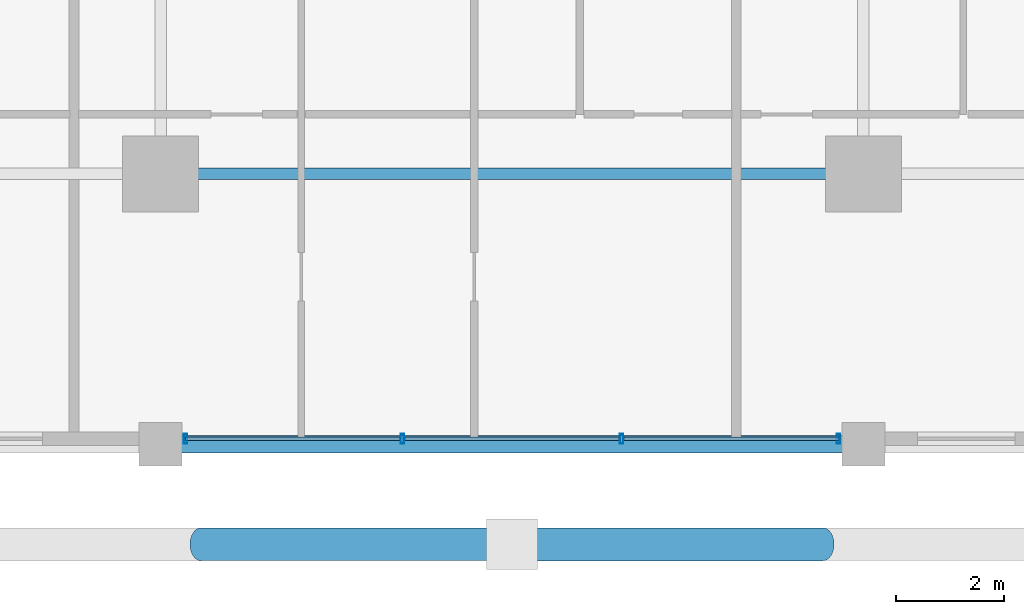
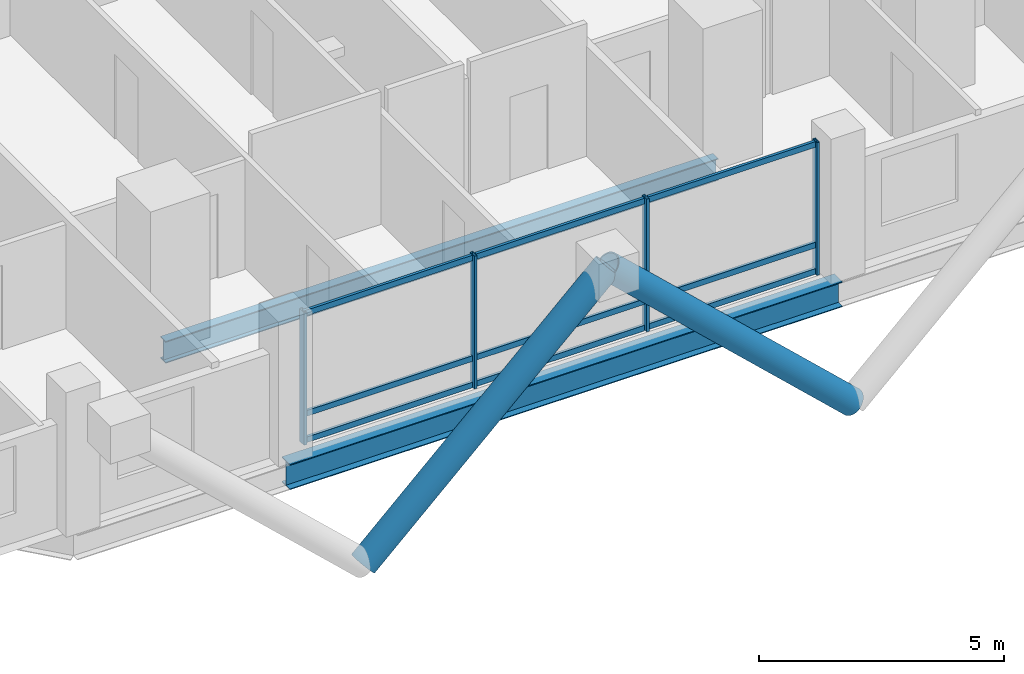
# One storey, part 2 of 24: 15 members, 2 beams, 1 element without a shape of its own.
"""IFC4 building model written with IfcOpenShell, lengths in metres."""

from ifc_helpers import new_model, si_unit, direction, frame, origin, origin_2d, place, context, subcontext, project, spatial, hollow_rectangle, hollow_circle, i_section, extrude, material, layer, layer_set, material_profile, profile_set, type_object, element, aggregate, save


model = new_model("IFC4")

# Units and contexts
model_context = context("Model", 3, precision=1e-05, world=origin(), true_north=direction((0.0, 1.0)))
body_context = subcontext(model_context, "Body", "Model", "MODEL_VIEW")
ifc_project = project(units=[si_unit("LENGTHUNIT", "METRE"), si_unit("AREAUNIT", "SQUARE_METRE"), si_unit("VOLUMEUNIT", "CUBIC_METRE"), si_unit("PLANEANGLEUNIT", "RADIAN"), si_unit("MASSUNIT", "GRAM", prefix="KILO")], contexts=[model_context])

# Site, building, storey
site_placement = place(None, origin())
site = spatial("IfcSite", under=ifc_project, at=site_placement, CompositionType="ELEMENT")
building_placement = place(site_placement, origin())
building = spatial("IfcBuilding", under=site, at=building_placement, Name="Barlavira Tower and Art Museum", CompositionType="ELEMENT")
storey_placement = place(building_placement, frame((0.0, 0.0, 90.0)))
storey = spatial("IfcBuildingStorey", under=building, at=storey_placement, Name="L22", CompositionType="ELEMENT", Elevation=90.0)

# Curtain wall, members
ifc_material_1 = material(Name="Low-iron coastal laminated glass", Category="glass")
ifc_layer = layer(ifc_material_1, 0.179931640625, Name="Low-iron coastal laminated glass")
ifc_layer_set = layer_set([ifc_layer], Name="Low-iron coastal laminated glass")
curtain_wall_type = type_object("IfcCurtainWallType", Name="Pale-Metal Unitised Curtain Wall Zone 1", PredefinedType="NOTDEFINED", material=ifc_layer_set)
curtain_wall_placement = place(storey_placement, origin())
curtain_wall = element("IfcCurtainWall", 1, at=curtain_wall_placement, inside=storey, type_object=curtain_wall_type, Name="L22 Curtain Wall CW1-L22-S-B3", PredefinedType="NOTDEFINED")
ifc_material_2 = material(Name="Pale anodised aluminium", Category="aluminium")
ifc_material_profile_1 = material_profile(ifc_material_2, hollow_rectangle(XDim=0.06494140625, YDim=0.179931640625, WallThickness=0.00390625, at=origin_2d()), Name="ALU-MULL 65x180x4")
ifc_profile_set_1 = profile_set([ifc_material_profile_1], Name="Pale anodised aluminium")
member_type_1 = type_object("IfcMemberType", Name="Curtain Wall Pale-Metal Mullion 65x180", PredefinedType="MULLION", material=ifc_profile_set_1)
member_1_placement = place(storey_placement, frame((-6.034912109375, -24.89990234375, 0.0), z_axis=(0.0, 0.0, 1.0), x_axis=(1.0, 0.0, 0.0)))
member_1 = element("IfcMember", 2, at=member_1_placement, type_object=member_type_1, Name="CW1-L22-S-B3 Mullion 0", PredefinedType="MULLION", context=body_context, shape_type="SweptSolid", body=[
    extrude(hollow_rectangle(XDim=0.06494140625, YDim=0.179931640625, WallThickness=0.00390625, at=origin_2d()), origin(), (0.0, 0.0, 1.0), 3.300048828125),
])
member_2_placement = place(storey_placement, frame((-2.026611328125, -24.89990234375, 0.0), z_axis=(0.0, 0.0, 1.0), x_axis=(1.0, 0.0, 0.0)))
member_2 = element("IfcMember", 3, at=member_2_placement, type_object=member_type_1, Name="CW1-L22-S-B3 Mullion 1", PredefinedType="MULLION", context=body_context, shape_type="SweptSolid", body=[
    extrude(hollow_rectangle(XDim=0.06494140625, YDim=0.179931640625, WallThickness=0.00390625, at=origin_2d()), origin(), (0.0, 0.0, 1.0), 3.300048828125),
])
member_3_placement = place(storey_placement, frame((2.026611328125, -24.89990234375, 0.0), z_axis=(0.0, 0.0, 1.0), x_axis=(1.0, 0.0, 0.0)))
member_3 = element("IfcMember", 4, at=member_3_placement, type_object=member_type_1, Name="CW1-L22-S-B3 Mullion 2", PredefinedType="MULLION", context=body_context, shape_type="SweptSolid", body=[
    extrude(hollow_rectangle(XDim=0.06494140625, YDim=0.179931640625, WallThickness=0.00390625, at=origin_2d()), origin(), (0.0, 0.0, 1.0), 3.300048828125),
])
member_4_placement = place(storey_placement, frame((6.034912109375, -24.89990234375, 0.0), z_axis=(0.0, 0.0, 1.0), x_axis=(1.0, 0.0, 0.0)))
member_4 = element("IfcMember", 5, at=member_4_placement, type_object=member_type_1, Name="CW1-L22-S-B3 Mullion 3", PredefinedType="MULLION", context=body_context, shape_type="SweptSolid", body=[
    extrude(hollow_rectangle(XDim=0.06494140625, YDim=0.179931640625, WallThickness=0.00390625, at=origin_2d()), origin(), (0.0, 0.0, 1.0), 3.300048828125),
])
ifc_material_profile_2 = material_profile(ifc_material_2, hollow_rectangle(XDim=0.06494140625, YDim=0.139892578125, WallThickness=0.00390625, at=origin_2d()), Name="ALU-TRAN 65x140x4")
ifc_profile_set_2 = profile_set([ifc_material_profile_2], Name="Pale anodised aluminium")
member_type_2 = type_object("IfcMemberType", Name="Curtain Wall Pale-Metal Transom 65x140", PredefinedType="USERDEFINED", material=ifc_profile_set_2)
member_5_placement = place(storey_placement, frame((-6.034912109375, -24.89990234375, 0.070068359375), z_axis=(1.0, 0.0, 0.0), x_axis=(0.0, 1.0, 0.0)))
member_5 = element("IfcMember", 6, at=member_5_placement, type_object=member_type_2, Name="CW1-L22-S-B3 Transom 0.1", ObjectType="TRANSOM", PredefinedType="USERDEFINED", context=body_context, shape_type="SweptSolid", body=[
    extrude(hollow_rectangle(XDim=0.06494140625, YDim=0.139892578125, WallThickness=0.00390625, at=origin_2d()), origin(), (0.0, 0.0, 1.0), 3.963134765625),
])
member_6_placement = place(storey_placement, frame((-6.034912109375, -24.89990234375, 0.72607421875), z_axis=(1.0, 0.0, 0.0), x_axis=(0.0, 1.0, 0.0)))
member_6 = element("IfcMember", 7, at=member_6_placement, type_object=member_type_2, Name="CW1-L22-S-B3 Transom 0.2", ObjectType="TRANSOM", PredefinedType="USERDEFINED", context=body_context, shape_type="SweptSolid", body=[
    extrude(hollow_rectangle(XDim=0.06494140625, YDim=0.139892578125, WallThickness=0.00390625, at=origin_2d()), origin(), (0.0, 0.0, 1.0), 3.963134765625),
])
member_7_placement = place(storey_placement, frame((-6.034912109375, -24.89990234375, 3.22998046875), z_axis=(1.0, 0.0, 0.0), x_axis=(0.0, 1.0, 0.0)))
member_7 = element("IfcMember", 8, at=member_7_placement, type_object=member_type_2, Name="CW1-L22-S-B3 Transom 0.3", ObjectType="TRANSOM", PredefinedType="USERDEFINED", context=body_context, shape_type="SweptSolid", body=[
    extrude(hollow_rectangle(XDim=0.06494140625, YDim=0.139892578125, WallThickness=0.00390625, at=origin_2d()), origin(), (0.0, 0.0, 1.0), 3.963134765625),
])
member_8_placement = place(storey_placement, frame((-1.981689453125, -24.89990234375, 0.070068359375), z_axis=(1.0, 0.0, 0.0), x_axis=(0.0, 1.0, 0.0)))
member_8 = element("IfcMember", 9, at=member_8_placement, type_object=member_type_2, Name="CW1-L22-S-B3 Transom 1.1", ObjectType="TRANSOM", PredefinedType="USERDEFINED", context=body_context, shape_type="SweptSolid", body=[
    extrude(hollow_rectangle(XDim=0.06494140625, YDim=0.139892578125, WallThickness=0.00390625, at=origin_2d()), origin(), (0.0, 0.0, 1.0), 3.96337890625),
])
member_9_placement = place(storey_placement, frame((-1.981689453125, -24.89990234375, 0.72607421875), z_axis=(1.0, 0.0, 0.0), x_axis=(0.0, 1.0, 0.0)))
member_9 = element("IfcMember", 10, at=member_9_placement, type_object=member_type_2, Name="CW1-L22-S-B3 Transom 1.2", ObjectType="TRANSOM", PredefinedType="USERDEFINED", context=body_context, shape_type="SweptSolid", body=[
    extrude(hollow_rectangle(XDim=0.06494140625, YDim=0.139892578125, WallThickness=0.00390625, at=origin_2d()), origin(), (0.0, 0.0, 1.0), 3.96337890625),
])
member_10_placement = place(storey_placement, frame((-1.981689453125, -24.89990234375, 3.22998046875), z_axis=(1.0, 0.0, 0.0), x_axis=(0.0, 1.0, 0.0)))
member_10 = element("IfcMember", 11, at=member_10_placement, type_object=member_type_2, Name="CW1-L22-S-B3 Transom 1.3", ObjectType="TRANSOM", PredefinedType="USERDEFINED", context=body_context, shape_type="SweptSolid", body=[
    extrude(hollow_rectangle(XDim=0.06494140625, YDim=0.139892578125, WallThickness=0.00390625, at=origin_2d()), origin(), (0.0, 0.0, 1.0), 3.96337890625),
])
member_11_placement = place(storey_placement, frame((2.07177734375, -24.89990234375, 0.070068359375), z_axis=(1.0, 0.0, 0.0), x_axis=(0.0, 1.0, 0.0)))
member_11 = element("IfcMember", 12, at=member_11_placement, type_object=member_type_2, Name="CW1-L22-S-B3 Transom 2.1", ObjectType="TRANSOM", PredefinedType="USERDEFINED", context=body_context, shape_type="SweptSolid", body=[
    extrude(hollow_rectangle(XDim=0.06494140625, YDim=0.139892578125, WallThickness=0.00390625, at=origin_2d()), origin(), (0.0, 0.0, 1.0), 3.963134765625),
])
member_12_placement = place(storey_placement, frame((2.07177734375, -24.89990234375, 0.72607421875), z_axis=(1.0, 0.0, 0.0), x_axis=(0.0, 1.0, 0.0)))
member_12 = element("IfcMember", 13, at=member_12_placement, type_object=member_type_2, Name="CW1-L22-S-B3 Transom 2.2", ObjectType="TRANSOM", PredefinedType="USERDEFINED", context=body_context, shape_type="SweptSolid", body=[
    extrude(hollow_rectangle(XDim=0.06494140625, YDim=0.139892578125, WallThickness=0.00390625, at=origin_2d()), origin(), (0.0, 0.0, 1.0), 3.963134765625),
])
member_13_placement = place(storey_placement, frame((2.07177734375, -24.89990234375, 3.22998046875), z_axis=(1.0, 0.0, 0.0), x_axis=(0.0, 1.0, 0.0)))
member_13 = element("IfcMember", 14, at=member_13_placement, type_object=member_type_2, Name="CW1-L22-S-B3 Transom 2.3", ObjectType="TRANSOM", PredefinedType="USERDEFINED", context=body_context, shape_type="SweptSolid", body=[
    extrude(hollow_rectangle(XDim=0.06494140625, YDim=0.139892578125, WallThickness=0.00390625, at=origin_2d()), origin(), (0.0, 0.0, 1.0), 3.963134765625),
])
aggregate(curtain_wall, [member_1, member_2, member_3, member_4, member_5, member_6, member_7, member_8, member_9, member_10, member_11, member_12, member_13])

# Members
ifc_material_3 = material(Name="Steel S355", Category="steel")
ifc_material_profile_3 = material_profile(ifc_material_3, hollow_circle(Radius=0.304931640625, WallThickness=0.028076171875, at=origin_2d()), Name="CHS 610.0x28.0")
ifc_profile_set_3 = profile_set([ifc_material_profile_3], Name="Steel S355")
member_type_3 = type_object("IfcMemberType", Name="Pale-Metal Exoskeleton Diagrid Tube CHS 610x28 Steel S355", PredefinedType="BRACE", material=ifc_profile_set_3)
for number, where, z_axis, x_axis, name in (
    (15, (-5.75, -26.85009765625, -1.919921875), (0.728950095515, 0.0, 0.684566839869), (0.0, 1.0, 0.0), "L22 Exoskeleton Diagrid Tube S"),
    (16, (5.75, -26.85009765625, -1.919921875), (-0.728950095515, 0.0, 0.684566839869), (0.0, -1.0, 0.0), "L22 Exoskeleton Diagrid Tube S"),
):
    element("IfcMember", number, at=place(storey_placement, frame(where, z_axis=z_axis, x_axis=x_axis)), inside=storey, type_object=member_type_3, Name=name, PredefinedType="BRACE", context=body_context, shape_type="SweptSolid", body=[
        extrude(hollow_circle(Radius=0.304931640625, WallThickness=0.028076171875, at=origin_2d()), origin(), (0.0, 0.0, 1.0), 7.887939453125),
    ])

# Beams
ifc_material_profile_4 = material_profile(ifc_material_3, i_section(OverallWidth=0.327880859375, OverallDepth=0.62890625, WebThickness=0.013916015625, FlangeThickness=0.021484375, at=origin_2d()), Name="W610x174.0")
ifc_profile_set_4 = profile_set([ifc_material_profile_4], Name="Steel S355")
beam_type_1 = type_object("IfcBeamType", Name="Perimeter Spandrel Edge Beam W610x174 Steel S355", PredefinedType="SPANDREL", material=ifc_profile_set_4)
beam_1_placement = place(storey_placement, frame((-6.5, -25.0, -0.534423828125), z_axis=(1.0, 0.0, 0.0), x_axis=(0.0, 1.0, 0.0)))
element("IfcBeam", 17, at=beam_1_placement, inside=storey, type_object=beam_type_1, Name="L22 Spandrel 2", PredefinedType="SPANDREL", context=body_context, shape_type="SweptSolid", body=[
    extrude(i_section(OverallWidth=0.327880859375, OverallDepth=0.62890625, WebThickness=0.013916015625, FlangeThickness=0.021484375, at=origin_2d()), origin(), (0.0, 0.0, 1.0), 13.0),
])
ifc_material_profile_5 = material_profile(ifc_material_3, i_section(OverallWidth=0.214111328125, OverallDepth=0.549072265625, WebThickness=0.0146484375, FlangeThickness=0.023681640625, at=origin_2d()), Name="W530x138.0")
ifc_profile_set_5 = profile_set([ifc_material_profile_5], Name="Steel S355")
beam_type_2 = type_object("IfcBeamType", Name="Zone 1 Primary Floor Girder W530x138 Steel S355", PredefinedType="BEAM", material=ifc_profile_set_5)
beam_2_placement = place(storey_placement, frame((-6.5, -20.0, -0.494384765625), z_axis=(1.0, 0.0, 0.0), x_axis=(0.0, 1.0, 0.0)))
element("IfcBeam", 18, at=beam_2_placement, inside=storey, type_object=beam_type_2, Name="L22 Girder M-S2", PredefinedType="BEAM", context=body_context, shape_type="SweptSolid", body=[
    extrude(i_section(OverallWidth=0.214111328125, OverallDepth=0.549072265625, WebThickness=0.0146484375, FlangeThickness=0.023681640625, at=origin_2d()), origin(), (0.0, 0.0, 1.0), 13.0),
])

save(model, "model.ifc")
